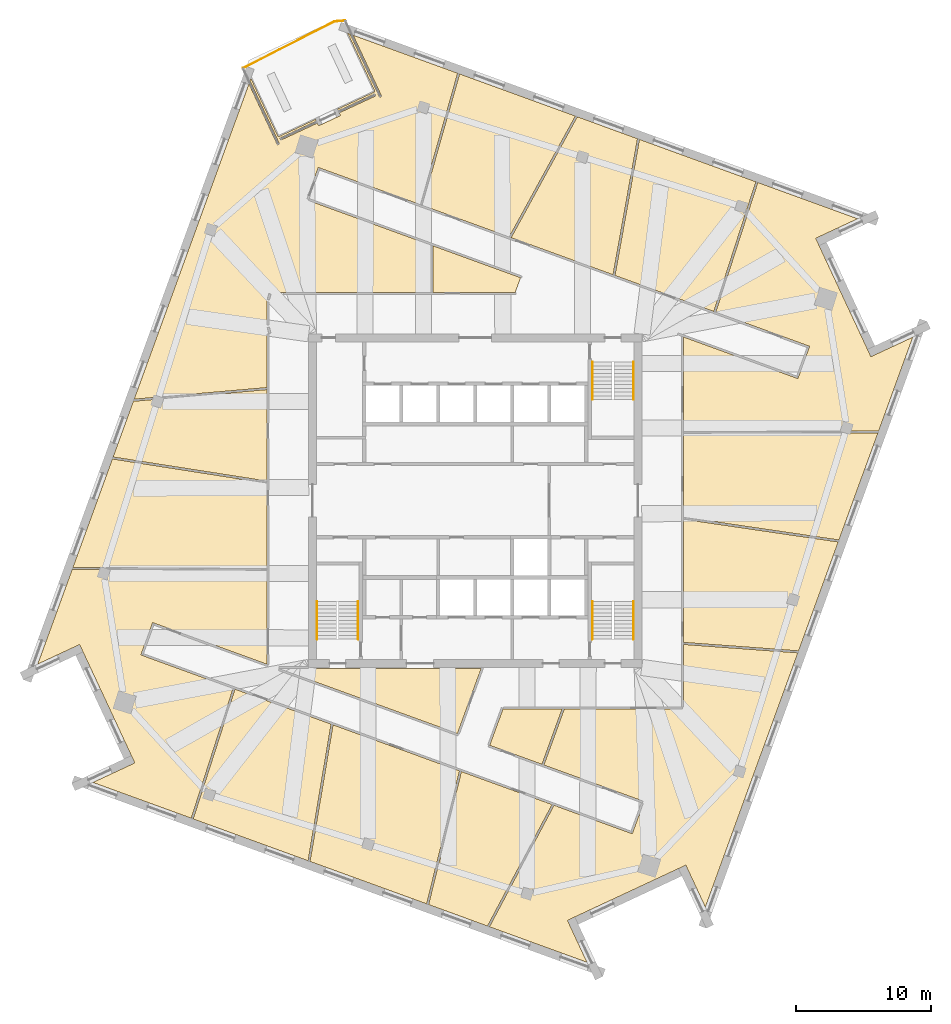
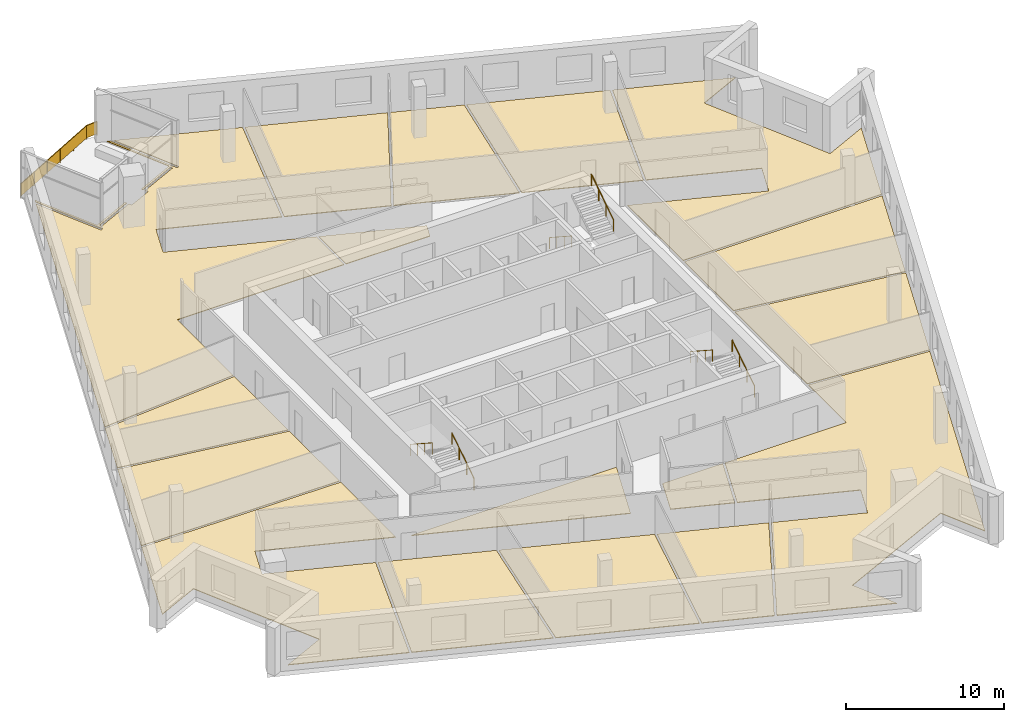
# One storey, part 12 of 13: 17 coverings, 7 railings.
"""IFC4 building model written with IfcOpenShell, lengths in metres."""

from ifc_helpers import new_model, si_unit, direction, frame, origin, origin_2d, place, context, subcontext, project, spatial, polyline, rectangle, circle, outline, extrude, material, layer, layer_set, type_object, element, save


model = new_model("IFC4")

# Units and contexts
model_context = context("Model", 3, precision=1e-05, world=origin(), true_north=direction((0.0, 1.0)))
body_context = subcontext(model_context, "Body", "Model", "MODEL_VIEW")
ifc_project = project(units=[si_unit("LENGTHUNIT", "METRE"), si_unit("AREAUNIT", "SQUARE_METRE"), si_unit("VOLUMEUNIT", "CUBIC_METRE"), si_unit("PLANEANGLEUNIT", "RADIAN"), si_unit("MASSUNIT", "GRAM", prefix="KILO")], contexts=[model_context])

# Site, building, storey
site_placement = place(None, origin())
site = spatial("IfcSite", under=ifc_project, at=site_placement, CompositionType="ELEMENT")
building_placement = place(site_placement, origin())
building = spatial("IfcBuilding", under=site, at=building_placement, Name="Dilmun Exchange Tower", CompositionType="ELEMENT")
storey_placement = place(building_placement, frame((0.0, 0.0, 308.5)))
storey = spatial("IfcBuildingStorey", under=building, at=storey_placement, Name="L73", CompositionType="ELEMENT", Elevation=308.5)

# Coverings
ifc_material_1 = material(Name="Carpet floor finish 50")
ifc_layer_1 = layer(ifc_material_1, 0.050048828125)
ifc_layer_set_1 = layer_set([ifc_layer_1], Name="Carpet floor finish 50")
covering_type_1 = type_object("IfcCoveringType", Name="Carpet floor finish 50", PredefinedType="FLOORING", material=ifc_layer_set_1)
covering_1_placement = place(storey_placement, origin())
element("IfcCovering", 1, at=covering_1_placement, inside=storey, type_object=covering_type_1, Name="Carpet floor finish 50 Co-working hall 1", PredefinedType="FLOORING", context=body_context, shape_type="SweptSolid", body=[
    extrude(outline(polyline([(-15.47509765625, -5.190185546875), (-15.47509765625, -12.161376953125), (-23.97412109375, -9.068115234375), (-24.84619140625, -11.464111328125), (-17.993896484375, -13.958251953125), (-21.103515625, -23.603515625), (-28.412841796875, -20.943359375), (-25.30224609375, -19.492919921875), (-25.302001953125, -19.49267578125), (-25.3017578125, -19.49267578125), (-25.3017578125, -19.492431640625), (-25.301513671875, -19.4921875), (-25.301513671875, -19.4921875), (-25.30126953125, -19.491943359375), (-25.30126953125, -19.491943359375), (-25.301025390625, -19.49169921875), (-25.301025390625, -19.491455078125), (-25.301025390625, -19.4912109375), (-25.301025390625, -19.4912109375), (-25.301025390625, -19.490966796875), (-25.301025390625, -19.49072265625), (-25.301025390625, -19.490478515625), (-25.301025390625, -19.490234375), (-25.30126953125, -19.489990234375), (-25.5546875, -18.9462890625), (-25.554931640625, -18.9462890625), (-25.554931640625, -18.946044921875), (-29.14697265625, -11.242919921875), (-29.14697265625, -11.24267578125), (-29.400634765625, -10.698974609375), (-29.400634765625, -10.69873046875), (-29.40087890625, -10.698486328125), (-29.40087890625, -10.698486328125), (-29.40087890625, -10.6982421875), (-29.401123046875, -10.6982421875), (-29.4013671875, -10.697998046875), (-29.401611328125, -10.697998046875), (-29.401611328125, -10.697998046875), (-29.40185546875, -10.697998046875), (-29.402099609375, -10.69775390625), (-29.40234375, -10.69775390625), (-29.402587890625, -10.69775390625), (-29.402587890625, -10.69775390625), (-29.40283203125, -10.697998046875), (-29.403076171875, -10.697998046875), (-29.4033203125, -10.697998046875), (-32.513916015625, -12.1484375), (-29.94921875, -5.102294921875), (-15.47509765625, -5.190185546875)])), origin(), (0.0, 0.0, 1.0), 0.050048828125),
])
covering_2_placement = place(storey_placement, origin())
element("IfcCovering", 2, at=covering_2_placement, inside=storey, type_object=covering_type_1, Name="Carpet floor finish 50 Members library 1", PredefinedType="FLOORING", context=body_context, shape_type="SweptSolid", body=[
    extrude(outline(polyline([(-15.47509765625, -5.040283203125), (-29.894775390625, -4.95263671875), (-26.965576171875, 3.095458984375), (-15.47509765625, 1.298828125), (-15.47509765625, -5.040283203125)])), origin(), (0.0, 0.0, 1.0), 0.050048828125),
])
covering_3_placement = place(storey_placement, origin())
element("IfcCovering", 3, at=covering_3_placement, inside=storey, type_object=covering_type_1, Name="Carpet floor finish 50 Serviced office 1", PredefinedType="FLOORING", context=body_context, shape_type="SweptSolid", body=[
    extrude(outline(polyline([(-15.47509765625, 8.248779296875), (-15.47509765625, 1.45068359375), (-26.913330078125, 3.239013671875), (-25.4052734375, 7.38232421875), (-15.47509765625, 8.248779296875)])), origin(), (0.0, 0.0, 1.0), 0.050048828125),
])
covering_4_placement = place(storey_placement, origin())
element("IfcCovering", 4, at=covering_4_placement, inside=storey, type_object=covering_type_1, Name="Carpet floor finish 50 Business centre", PredefinedType="FLOORING", context=body_context, shape_type="SweptSolid", body=[
    extrude(outline(polyline([(-12.4208984375, -26.763916015625), (-20.962646484375, -23.65478515625), (-17.852783203125, -14.009521484375), (-10.712890625, -16.6083984375), (-12.4208984375, -26.763916015625)])), origin(), (0.0, 0.0, 1.0), 0.050048828125),
])
covering_5_placement = place(storey_placement, origin())
element("IfcCovering", 5, at=covering_5_placement, inside=storey, type_object=covering_type_1, Name="Carpet floor finish 50 Garden lounge", PredefinedType="FLOORING", context=body_context, shape_type="SweptSolid", body=[
    extrude(outline(polyline([(-15.47509765625, 15.47509765625), (-15.47509765625, 8.399169921875), (-25.3486328125, 7.537841796875), (-16.817138671875, 30.977783203125), (-14.698486328125, 26.434326171875), (-14.698486328125, 26.43408203125), (-14.6982421875, 26.43408203125), (-14.6982421875, 26.433837890625), (-14.697998046875, 26.43359375), (-14.697998046875, 26.43359375), (-14.69775390625, 26.43359375), (-14.697509765625, 26.433349609375), (-14.697509765625, 26.433349609375), (-14.697265625, 26.433349609375), (-14.697021484375, 26.43310546875), (-14.69677734375, 26.43310546875), (-14.696533203125, 26.43310546875), (-14.6962890625, 26.43310546875), (-14.6962890625, 26.43310546875), (-14.696044921875, 26.433349609375), (-14.69580078125, 26.433349609375), (-14.55078125, 26.5009765625), (-14.55078125, 26.501220703125), (-14.550537109375, 26.501220703125), (-14.55029296875, 26.501220703125), (-14.55029296875, 26.50146484375), (-14.550048828125, 26.501708984375), (-14.550048828125, 26.501708984375), (-14.5498046875, 26.501953125), (-14.5498046875, 26.502197265625), (-14.5498046875, 26.502197265625), (-14.5498046875, 26.50244140625), (-14.5498046875, 26.502685546875), (-14.5498046875, 26.5029296875), (-14.5498046875, 26.503173828125), (-14.5498046875, 26.50341796875), (-14.5498046875, 26.50341796875), (-14.5498046875, 26.503662109375), (-16.73779296875, 31.19580078125), (-16.668701171875, 31.3857421875), (-14.64208984375, 27.039794921875), (-11.866943359375, 28.333984375), (-11.806640625, 28.204345703125), (-14.513916015625, 26.94189453125), (-14.513916015625, 26.94189453125), (-14.51416015625, 26.94189453125), (-14.51416015625, 26.941650390625), (-14.514404296875, 26.941650390625), (-14.514404296875, 26.94140625), (-14.5146484375, 26.941162109375), (-14.5146484375, 26.941162109375), (-14.514892578125, 26.94091796875), (-14.514892578125, 26.940673828125), (-14.514892578125, 26.9404296875), (-14.514892578125, 26.940185546875), (-14.514892578125, 26.940185546875), (-14.514892578125, 26.93994140625), (-14.514892578125, 26.939697265625), (-14.514892578125, 26.939453125), (-14.5146484375, 26.939453125), (-14.447021484375, 26.794189453125), (-14.447021484375, 26.794189453125), (-14.447021484375, 26.7939453125), (-14.44677734375, 26.7939453125), (-14.446533203125, 26.793701171875), (-14.446533203125, 26.793701171875), (-14.4462890625, 26.79345703125), (-14.4462890625, 26.79345703125), (-14.446044921875, 26.793212890625), (-14.44580078125, 26.793212890625), (-14.445556640625, 26.793212890625), (-14.4453125, 26.793212890625), (-14.4453125, 26.793212890625), (-14.445068359375, 26.793212890625), (-14.44482421875, 26.793212890625), (-14.444580078125, 26.793212890625), (-14.4443359375, 26.79345703125), (-11.7373046875, 28.0556640625), (-11.64501953125, 27.858154296875), (-11.64501953125, 27.85791015625), (-11.64501953125, 27.85791015625), (-11.644775390625, 27.857666015625), (-11.644775390625, 27.857421875), (-11.64453125, 27.857421875), (-11.644287109375, 27.857421875), (-11.644287109375, 27.857177734375), (-11.64404296875, 27.857177734375), (-11.643798828125, 27.857177734375), (-11.6435546875, 27.85693359375), (-11.643310546875, 27.85693359375), (-11.643310546875, 27.85693359375), (-11.64306640625, 27.85693359375), (-11.642822265625, 27.857177734375), (-11.642578125, 27.857177734375), (-11.642578125, 27.857177734375), (-10.010986328125, 28.617919921875), (-10.010986328125, 28.6181640625), (-10.0107421875, 28.6181640625), (-10.010498046875, 28.618408203125), (-10.010498046875, 28.618408203125), (-10.01025390625, 28.61865234375), (-10.01025390625, 28.618896484375), (-10.010009765625, 28.618896484375), (-10.010009765625, 28.619140625), (-10.010009765625, 28.619384765625), (-10.010009765625, 28.619384765625), (-10.010009765625, 28.61962890625), (-10.010009765625, 28.619873046875), (-10.010009765625, 28.6201171875), (-10.010009765625, 28.620361328125), (-10.010009765625, 28.62060546875), (-10.010009765625, 28.62060546875), (-10.102294921875, 28.818115234375), (-7.39501953125, 30.08056640625), (-7.39501953125, 30.080810546875), (-7.394775390625, 30.080810546875), (-7.39453125, 30.080810546875), (-7.394287109375, 30.0810546875), (-7.394287109375, 30.081298828125), (-7.394287109375, 30.081298828125), (-7.39404296875, 30.08154296875), (-7.39404296875, 30.081787109375), (-7.39404296875, 30.081787109375), (-7.393798828125, 30.08203125), (-7.393798828125, 30.082275390625), (-7.393798828125, 30.08251953125), (-7.393798828125, 30.082763671875), (-7.393798828125, 30.0830078125), (-7.39404296875, 30.0830078125), (-7.39404296875, 30.083251953125), (-7.461669921875, 30.228271484375), (-7.4619140625, 30.228515625), (-7.4619140625, 30.228515625), (-7.4619140625, 30.228759765625), (-7.462158203125, 30.22900390625), (-7.46240234375, 30.22900390625), (-7.46240234375, 30.22900390625), (-7.462646484375, 30.229248046875), (-7.462890625, 30.229248046875), (-7.462890625, 30.229248046875), (-7.463134765625, 30.2294921875), (-7.46337890625, 30.2294921875), (-7.463623046875, 30.2294921875), (-7.4638671875, 30.2294921875), (-7.464111328125, 30.229248046875), (-7.464111328125, 30.229248046875), (-7.46435546875, 30.229248046875), (-10.17138671875, 28.966796875), (-10.23193359375, 29.096435546875), (-7.456787109375, 30.390380859375), (-9.4833984375, 34.736328125), (-9.293212890625, 34.667236328125), (-7.105224609375, 29.97509765625), (-7.105224609375, 29.97509765625), (-7.10498046875, 29.974853515625), (-7.10498046875, 29.974609375), (-7.10498046875, 29.974609375), (-7.104736328125, 29.974365234375), (-7.1044921875, 29.974365234375), (-7.1044921875, 29.97412109375), (-7.104248046875, 29.97412109375), (-7.10400390625, 29.97412109375), (-7.103759765625, 29.97412109375), (-7.103515625, 29.97412109375), (-7.103515625, 29.97412109375), (-7.103271484375, 29.97412109375), (-7.10302734375, 29.97412109375), (-7.102783203125, 29.97412109375), (-7.102783203125, 29.97412109375), (-6.957763671875, 30.041748046875), (-6.95751953125, 30.0419921875), (-6.957275390625, 30.0419921875), (-6.957275390625, 30.0419921875), (-6.95703125, 30.042236328125), (-6.956787109375, 30.04248046875), (-6.956787109375, 30.04248046875), (-6.956787109375, 30.042724609375), (-6.95654296875, 30.04296875), (-6.95654296875, 30.043212890625), (-6.95654296875, 30.043212890625), (-6.95654296875, 30.04345703125), (-6.95654296875, 30.043701171875), (-6.95654296875, 30.0439453125), (-6.95654296875, 30.044189453125), (-6.95654296875, 30.044189453125), (-6.956787109375, 30.04443359375), (-9.0751953125, 34.587890625), (-1.306396484375, 31.76025390625), (-4.082275390625, 21.993408203125), (-11.664306640625, 24.7529296875), (-12.536376953125, 22.356689453125), (-3.30029296875, 18.9951171875), (-3.30029296875, 15.47509765625), (-15.47509765625, 15.47509765625)])), origin(), (0.0, 0.0, 1.0), 0.050048828125),
])
covering_6_placement = place(storey_placement, origin())
element("IfcCovering", 6, at=covering_6_placement, inside=storey, type_object=covering_type_1, Name="Carpet floor finish 50 Members library 2", PredefinedType="FLOORING", context=body_context, shape_type="SweptSolid", body=[
    extrude(outline(polyline([(-1.170166015625, -20.08154296875), (-3.611083984375, -29.970458984375), (-12.277587890625, -26.81591796875), (-10.569580078125, -16.660400390625), (-1.170166015625, -20.08154296875)])), origin(), (0.0, 0.0, 1.0), 0.050048828125),
])
covering_7_placement = place(storey_placement, origin())
element("IfcCovering", 7, at=covering_7_placement, inside=storey, type_object=covering_type_1, Name="Carpet floor finish 50 Serviced office 2", PredefinedType="FLOORING", context=body_context, shape_type="SweptSolid", body=[
    extrude(outline(polyline([(5.7119140625, -22.58642578125), (0.910400390625, -31.615966796875), (-3.46923828125, -30.02197265625), (-1.0283203125, -20.13330078125), (5.7119140625, -22.58642578125)])), origin(), (0.0, 0.0, 1.0), 0.050048828125),
])
covering_8_placement = place(storey_placement, origin())
element("IfcCovering", 8, at=covering_8_placement, inside=storey, type_object=covering_type_1, Name="Carpet floor finish 50 Serviced office 3", PredefinedType="FLOORING", context=body_context, shape_type="SweptSolid", body=[
    extrude(outline(polyline([(-1.1650390625, 31.708740234375), (7.440185546875, 28.57666015625), (2.52197265625, 19.589599609375), (-3.94091796875, 21.94189453125), (-1.1650390625, 31.708740234375)])), origin(), (0.0, 0.0, 1.0), 0.050048828125),
])
covering_9_placement = place(storey_placement, origin())
element("IfcCovering", 9, at=covering_9_placement, inside=storey, type_object=covering_type_1, Name="Carpet floor finish 50 Members lounge", PredefinedType="FLOORING", context=body_context, shape_type="SweptSolid", body=[
    extrude(outline(polyline([(5.8544921875, -22.63818359375), (11.664306640625, -24.7529296875), (12.536376953125, -22.356689453125), (5.098388671875, -19.6494140625), (6.617919921875, -15.47509765625), (15.47509765625, -15.47509765625), (15.47509765625, -10.68603515625), (23.97509765625, -11.31201171875), (17.09814453125, -30.205810546875), (15.647705078125, -27.09521484375), (15.647705078125, -27.094970703125), (15.6474609375, -27.0947265625), (15.6474609375, -27.0947265625), (15.647216796875, -27.094482421875), (15.647216796875, -27.094482421875), (15.64697265625, -27.09423828125), (15.646728515625, -27.09423828125), (15.646484375, -27.093994140625), (15.646484375, -27.093994140625), (15.646240234375, -27.093994140625), (15.64599609375, -27.093994140625), (15.645751953125, -27.093994140625), (15.6455078125, -27.093994140625), (15.6455078125, -27.093994140625), (15.645263671875, -27.093994140625), (15.64501953125, -27.09423828125), (15.101318359375, -27.34765625), (15.101318359375, -27.34765625), (15.101318359375, -27.347900390625), (7.397705078125, -30.93994140625), (7.3974609375, -30.940185546875), (7.397216796875, -30.940185546875), (7.397216796875, -30.940185546875), (6.85400390625, -31.193603515625), (6.853759765625, -31.193603515625), (6.853515625, -31.19384765625), (6.853515625, -31.19384765625), (6.853271484375, -31.194091796875), (6.85302734375, -31.194091796875), (6.85302734375, -31.1943359375), (6.852783203125, -31.194580078125), (6.852783203125, -31.194580078125), (6.852783203125, -31.19482421875), (6.852783203125, -31.195068359375), (6.852783203125, -31.1953125), (6.852783203125, -31.195556640625), (6.852783203125, -31.19580078125), (6.852783203125, -31.19580078125), (6.852783203125, -31.196044921875), (6.852783203125, -31.1962890625), (8.303466796875, -34.306884765625), (1.052490234375, -31.667724609375), (5.8544921875, -22.63818359375)])), origin(), (0.0, 0.0, 1.0), 0.050048828125),
])
covering_10_placement = place(storey_placement, origin())
element("IfcCovering", 10, at=covering_10_placement, inside=storey, type_object=covering_type_1, Name="Carpet floor finish 50 Serviced office 4", PredefinedType="FLOORING", context=body_context, shape_type="SweptSolid", body=[
    extrude(outline(polyline([(10.383056640625, 16.728271484375), (12.201171875, 26.843994140625), (20.85498046875, 23.694091796875), (17.7294921875, 14.054443359375), (10.383056640625, 16.728271484375)])), origin(), (0.0, 0.0, 1.0), 0.050048828125),
])
covering_11_placement = place(storey_placement, origin())
element("IfcCovering", 11, at=covering_11_placement, inside=storey, type_object=covering_type_1, Name="Carpet floor finish 50 Meeting room", PredefinedType="FLOORING", context=body_context, shape_type="SweptSolid", body=[
    extrude(outline(polyline([(15.47509765625, -1.3837890625), (26.974609375, -3.0703125), (24.0283203125, -11.165283203125), (15.47509765625, -10.53564453125), (15.47509765625, -1.3837890625)])), origin(), (0.0, 0.0, 1.0), 0.050048828125),
])
covering_12_placement = place(storey_placement, origin())
element("IfcCovering", 12, at=covering_12_placement, inside=storey, type_object=covering_type_1, Name="Carpet floor finish 50 Members library 3", PredefinedType="FLOORING", context=body_context, shape_type="SweptSolid", body=[
    extrude(outline(polyline([(29.92431640625, 5.0341796875), (27.027099609375, -2.92626953125), (15.47509765625, -1.232177734375), (15.47509765625, 4.993896484375), (29.92431640625, 5.0341796875)])), origin(), (0.0, 0.0, 1.0), 0.050048828125),
])
covering_13_placement = place(storey_placement, origin())
element("IfcCovering", 13, at=covering_13_placement, inside=storey, type_object=covering_type_1, Name="Carpet floor finish 50 Co-working hall 2", PredefinedType="FLOORING", context=body_context, shape_type="SweptSolid", body=[
    extrude(outline(polyline([(15.47509765625, 5.14404296875), (15.47509765625, 12.161376953125), (23.97412109375, 9.068115234375), (24.84619140625, 11.464111328125), (17.87060546875, 14.003173828125), (20.99609375, 23.642578125), (28.412841796875, 20.943359375), (25.30224609375, 19.492919921875), (25.302001953125, 19.49267578125), (25.3017578125, 19.49267578125), (25.3017578125, 19.492431640625), (25.301513671875, 19.4921875), (25.301513671875, 19.4921875), (25.30126953125, 19.491943359375), (25.30126953125, 19.491943359375), (25.301025390625, 19.49169921875), (25.301025390625, 19.491455078125), (25.301025390625, 19.4912109375), (25.301025390625, 19.4912109375), (25.301025390625, 19.490966796875), (25.301025390625, 19.49072265625), (25.301025390625, 19.490478515625), (25.301025390625, 19.490234375), (25.30126953125, 19.489990234375), (25.5546875, 18.9462890625), (25.554931640625, 18.9462890625), (25.554931640625, 18.946044921875), (29.14697265625, 11.242919921875), (29.14697265625, 11.24267578125), (29.400634765625, 10.698974609375), (29.400634765625, 10.69873046875), (29.40087890625, 10.698486328125), (29.40087890625, 10.698486328125), (29.40087890625, 10.6982421875), (29.401123046875, 10.6982421875), (29.4013671875, 10.697998046875), (29.401611328125, 10.697998046875), (29.401611328125, 10.697998046875), (29.40185546875, 10.697998046875), (29.402099609375, 10.69775390625), (29.40234375, 10.69775390625), (29.402587890625, 10.69775390625), (29.402587890625, 10.69775390625), (29.40283203125, 10.697998046875), (29.403076171875, 10.697998046875), (29.4033203125, 10.697998046875), (32.513916015625, 12.1484375), (29.97900390625, 5.18408203125), (15.47509765625, 5.14404296875)])), origin(), (0.0, 0.0, 1.0), 0.050048828125),
])

# Railings
ifc_material_2 = material(Name="Stainless steel", Category="steel")
railing_type_1 = type_object("IfcRailingType", Name="Stair handrail 900", PredefinedType="HANDRAIL", material=ifc_material_2)
railing_1_placement = place(storey_placement, frame((8.699951171875, 10.300048828125, 0.181884765625)))
element("IfcRailing", 14, at=railing_1_placement, inside=storey, type_object=railing_type_1, Name="L73 ST1 stair handrail 1", PredefinedType="HANDRAIL", context=body_context, shape_type="SweptSolid", body=[
    extrude(circle(Radius=0.02392578125, at=origin_2d()), frame((0.0, 0.0, 0.8759765625), z_axis=(0.0, -0.838705829183, 0.544584733623), x_axis=(1.0, 0.0, 0.0)), (0.0, 0.0, 1.0), 3.338623046875),
    extrude(circle(Radius=0.02099609375, at=origin_2d()), origin(), (0.0, 0.0, 1.0), 0.851806640625),
    extrude(circle(Radius=0.02099609375, at=origin_2d()), frame((0.0, -0.933349609375, 0.60595703125)), (0.0, 0.0, 1.0), 0.851806640625),
    extrude(circle(Radius=0.02099609375, at=origin_2d()), frame((0.0, -1.86669921875, 1.212158203125)), (0.0, 0.0, 1.0), 0.851806640625),
    extrude(circle(Radius=0.02099609375, at=origin_2d()), frame((0.0, -2.800048828125, 1.818115234375)), (0.0, 0.0, 1.0), 0.851806640625),
])
for number, where, name in (
    (15, (11.75, 7.5, 2.181884765625), "L73 ST1 stair handrail 2"),
    (16, (-8.699951171875, -10.300048828125, 0.181884765625), "L73 ST2 stair handrail 1"),
):
    element("IfcRailing", number, at=place(storey_placement, frame(where)), inside=storey, type_object=railing_type_1, Name=name, PredefinedType="HANDRAIL", context=body_context, shape_type="SweptSolid", body=[
        extrude(circle(Radius=0.02392578125, at=origin_2d()), frame((0.0, 0.0, 0.8759765625), z_axis=(0.0, 0.838705829183, 0.544584733623), x_axis=(-1.0, 0.0, 0.0)), (0.0, 0.0, 1.0), 3.338623046875),
        extrude(circle(Radius=0.02099609375, at=origin_2d()), origin(), (0.0, 0.0, 1.0), 0.851806640625),
        extrude(circle(Radius=0.02099609375, at=origin_2d()), frame((0.0, 0.933349609375, 0.60595703125)), (0.0, 0.0, 1.0), 0.851806640625),
        extrude(circle(Radius=0.02099609375, at=origin_2d()), frame((0.0, 1.86669921875, 1.212158203125)), (0.0, 0.0, 1.0), 0.851806640625),
        extrude(circle(Radius=0.02099609375, at=origin_2d()), frame((0.0, 2.800048828125, 1.818115234375)), (0.0, 0.0, 1.0), 0.851806640625),
    ])
railing_2_placement = place(storey_placement, frame((-11.75, -7.5, 2.181884765625)))
element("IfcRailing", 17, at=railing_2_placement, inside=storey, type_object=railing_type_1, Name="L73 ST2 stair handrail 2", PredefinedType="HANDRAIL", context=body_context, shape_type="SweptSolid", body=[
    extrude(circle(Radius=0.02392578125, at=origin_2d()), frame((0.0, 0.0, 0.8759765625), z_axis=(0.0, -0.838705829183, 0.544584733623), x_axis=(1.0, 0.0, 0.0)), (0.0, 0.0, 1.0), 3.338623046875),
    extrude(circle(Radius=0.02099609375, at=origin_2d()), origin(), (0.0, 0.0, 1.0), 0.851806640625),
    extrude(circle(Radius=0.02099609375, at=origin_2d()), frame((0.0, -0.933349609375, 0.60595703125)), (0.0, 0.0, 1.0), 0.851806640625),
    extrude(circle(Radius=0.02099609375, at=origin_2d()), frame((0.0, -1.86669921875, 1.212158203125)), (0.0, 0.0, 1.0), 0.851806640625),
    extrude(circle(Radius=0.02099609375, at=origin_2d()), frame((0.0, -2.800048828125, 1.818115234375)), (0.0, 0.0, 1.0), 0.851806640625),
])
railing_3_placement = place(storey_placement, frame((11.75, -10.300048828125, 0.181884765625)))
element("IfcRailing", 18, at=railing_3_placement, inside=storey, type_object=railing_type_1, Name="L73 ST3 stair handrail 1", PredefinedType="HANDRAIL", context=body_context, shape_type="SweptSolid", body=[
    extrude(circle(Radius=0.02392578125, at=origin_2d()), frame((0.0, 0.0, 0.8759765625), z_axis=(0.0, 0.838705829183, 0.544584733623), x_axis=(-1.0, 0.0, 0.0)), (0.0, 0.0, 1.0), 3.338623046875),
    extrude(circle(Radius=0.02099609375, at=origin_2d()), origin(), (0.0, 0.0, 1.0), 0.851806640625),
    extrude(circle(Radius=0.02099609375, at=origin_2d()), frame((0.0, 0.933349609375, 0.60595703125)), (0.0, 0.0, 1.0), 0.851806640625),
    extrude(circle(Radius=0.02099609375, at=origin_2d()), frame((0.0, 1.86669921875, 1.212158203125)), (0.0, 0.0, 1.0), 0.851806640625),
    extrude(circle(Radius=0.02099609375, at=origin_2d()), frame((0.0, 2.800048828125, 1.818115234375)), (0.0, 0.0, 1.0), 0.851806640625),
])
railing_4_placement = place(storey_placement, frame((8.699951171875, -7.5, 2.181884765625)))
element("IfcRailing", 19, at=railing_4_placement, inside=storey, type_object=railing_type_1, Name="L73 ST3 stair handrail 2", PredefinedType="HANDRAIL", context=body_context, shape_type="SweptSolid", body=[
    extrude(circle(Radius=0.02392578125, at=origin_2d()), frame((0.0, 0.0, 0.8759765625), z_axis=(0.0, -0.838705829183, 0.544584733623), x_axis=(1.0, 0.0, 0.0)), (0.0, 0.0, 1.0), 3.338623046875),
    extrude(circle(Radius=0.02099609375, at=origin_2d()), origin(), (0.0, 0.0, 1.0), 0.851806640625),
    extrude(circle(Radius=0.02099609375, at=origin_2d()), frame((0.0, -0.933349609375, 0.60595703125)), (0.0, 0.0, 1.0), 0.851806640625),
    extrude(circle(Radius=0.02099609375, at=origin_2d()), frame((0.0, -1.86669921875, 1.212158203125)), (0.0, 0.0, 1.0), 0.851806640625),
    extrude(circle(Radius=0.02099609375, at=origin_2d()), frame((0.0, -2.800048828125, 1.818115234375)), (0.0, 0.0, 1.0), 0.851806640625),
])

# Covering
ifc_material_3 = material(Name="Stone floor finish 50", Category="masonry")
ifc_layer_2 = layer(ifc_material_3, 0.050048828125)
ifc_layer_set_2 = layer_set([ifc_layer_2], Name="Stone floor finish 50")
covering_type_2 = type_object("IfcCoveringType", Name="Stone floor finish 50", PredefinedType="FLOORING", material=ifc_layer_set_2)
covering_14_placement = place(storey_placement, origin())
element("IfcCovering", 20, at=covering_14_placement, inside=storey, type_object=covering_type_2, Name="Stone floor finish 50 Reception", PredefinedType="FLOORING", context=body_context, shape_type="SweptSolid", body=[
    extrude(outline(polyline([(2.66455078125, 19.53759765625), (7.582763671875, 28.52490234375), (12.05810546875, 26.89599609375), (10.239990234375, 16.780517578125), (2.66455078125, 19.53759765625)])), origin(), (0.0, 0.0, 1.0), 0.050048828125),
])

# Railing
railing_type_2 = type_object("IfcRailingType", Name="Terrace guard 1100 stainless steel", PredefinedType="GUARDRAIL", material=ifc_material_2)
railing_5_placement = place(storey_placement, frame((-17.26416015625, 32.130126953125, 0.0)))
element("IfcRailing", 21, at=railing_5_placement, inside=storey, type_object=railing_type_2, Name="Terrace guard 1", PredefinedType="GUARDRAIL", context=body_context, shape_type="SweptSolid", body=[
    extrude(circle(Radius=0.02392578125, at=origin_2d()), frame((0.0, 0.0, 1.076171875), z_axis=(0.89044821025, 0.455084590887, 0.0), x_axis=(-0.455084590887, 0.89044821025, 0.0)), (0.0, 0.0, 1.0), 7.63818359375),
    extrude(rectangle(XDim=0.011962890625, YDim=0.951904296875, at=origin_2d()), frame((0.0, 0.0, 0.576171875), z_axis=(0.89044821025, 0.455084590887, 0.0), x_axis=(-0.455084590887, 0.89044821025, 0.0)), (0.0, 0.0, 1.0), 7.63818359375),
    extrude(circle(Radius=0.02392578125, at=origin_2d()), frame((6.801513671875, 3.47607421875, 1.076171875), z_axis=(0.996678000504, 0.081443006517, 0.0), x_axis=(-0.081443006517, 0.996678000504, 0.0)), (0.0, 0.0, 1.0), 0.79443359375),
    extrude(rectangle(XDim=0.011962890625, YDim=0.951904296875, at=origin_2d()), frame((6.801513671875, 3.47607421875, 0.576171875), z_axis=(0.996678000504, 0.081443006517, 0.0), x_axis=(-0.081443006517, 0.996678000504, 0.0)), (0.0, 0.0, 1.0), 0.79443359375),
    extrude(circle(Radius=0.02099609375, at=origin_2d()), origin(), (0.0, 0.0, 1.0), 1.052001953125),
    extrude(circle(Radius=0.02099609375, at=origin_2d()), frame((1.3603515625, 0.6953125, 0.0)), (0.0, 0.0, 1.0), 1.052001953125),
    extrude(circle(Radius=0.02099609375, at=origin_2d()), frame((2.720703125, 1.390380859375, 0.0)), (0.0, 0.0, 1.0), 1.052001953125),
    extrude(circle(Radius=0.02099609375, at=origin_2d()), frame((4.080810546875, 2.085693359375, 0.0)), (0.0, 0.0, 1.0), 1.052001953125),
    extrude(circle(Radius=0.02099609375, at=origin_2d()), frame((5.441162109375, 2.78076171875, 0.0)), (0.0, 0.0, 1.0), 1.052001953125),
    extrude(circle(Radius=0.02099609375, at=origin_2d()), frame((6.801513671875, 3.47607421875, 0.0)), (0.0, 0.0, 1.0), 1.052001953125),
    extrude(circle(Radius=0.02099609375, at=origin_2d()), frame((7.59326171875, 3.540771484375, 0.0)), (0.0, 0.0, 1.0), 1.052001953125),
])

# Coverings
ifc_material_4 = material(Name="Tile floor finish 50")
ifc_layer_3 = layer(ifc_material_4, 0.050048828125)
ifc_layer_set_3 = layer_set([ifc_layer_3], Name="Tile floor finish 50")
covering_type_3 = type_object("IfcCoveringType", Name="Tile floor finish 50", PredefinedType="FLOORING", material=ifc_layer_set_3)
covering_15_placement = place(storey_placement, origin())
element("IfcCovering", 22, at=covering_15_placement, inside=storey, type_object=covering_type_3, Name="Tile floor finish 50 Pantry 1", PredefinedType="FLOORING", context=body_context, shape_type="SweptSolid", body=[
    extrude(outline(polyline([(0.439208984375, -12.47509765625), (-1.32177734375, -17.312744140625), (-14.519287109375, -12.50927734375), (-14.513427734375, -12.47509765625), (0.439208984375, -12.47509765625)])), origin(), (0.0, 0.0, 1.0), 0.050048828125),
])
covering_16_placement = place(storey_placement, origin())
element("IfcCovering", 23, at=covering_16_placement, inside=storey, type_object=covering_type_3, Name="Tile floor finish 50 Pantry 2", PredefinedType="FLOORING", context=body_context, shape_type="SweptSolid", body=[
    extrude(outline(polyline([(2.970947265625, 15.47509765625), (-3.150390625, 15.47509765625), (-3.150390625, 18.9404296875), (3.36865234375, 16.567626953125), (2.970947265625, 15.47509765625)])), origin(), (0.0, 0.0, 1.0), 0.050048828125),
])
covering_17_placement = place(storey_placement, origin())
element("IfcCovering", 24, at=covering_17_placement, inside=storey, type_object=covering_type_3, Name="Tile floor finish 50 Pantry 3", PredefinedType="FLOORING", context=body_context, shape_type="SweptSolid", body=[
    extrude(outline(polyline([(4.95751953125, -19.59814453125), (1.074462890625, -18.184814453125), (2.060791015625, -15.47509765625), (6.458251953125, -15.47509765625), (4.95751953125, -19.59814453125)])), origin(), (0.0, 0.0, 1.0), 0.050048828125),
])

save(model, "model.ifc")
